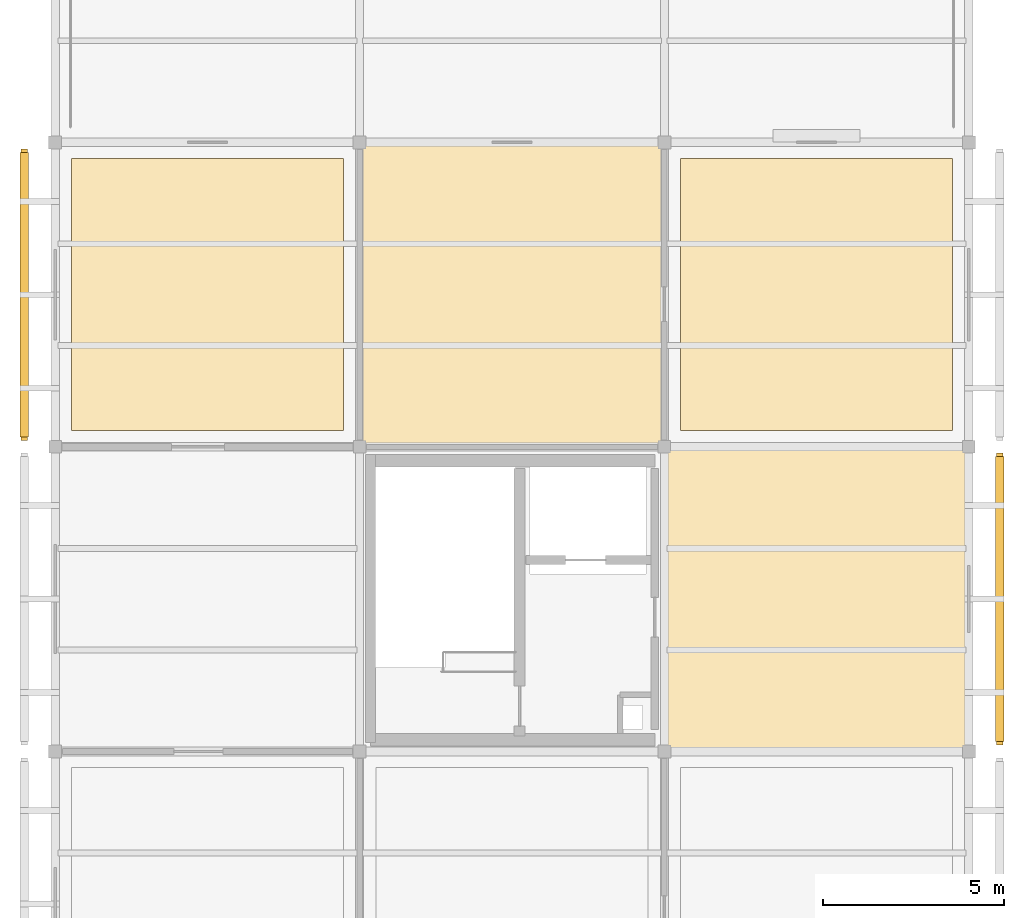
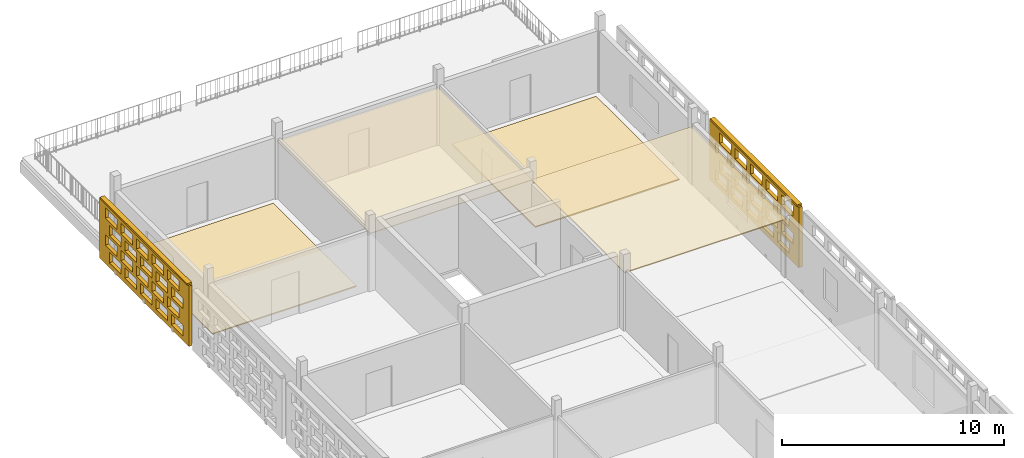
# One storey, part 11 of 13: 6 coverings, 2 shading devices, 40 openings.
"""IFC4 building model written with IfcOpenShell, lengths in metres."""

from ifc_helpers import new_model, si_unit, direction, frame, frame_2d, origin, origin_2d, place, context, subcontext, project, spatial, rectangle, extrude, material, layer, layer_set, type_object, element, save


model = new_model("IFC4")

# Units and contexts
model_context = context("Model", 3, precision=1e-05, world=origin(), true_north=direction((0.0, 1.0)))
body_context = subcontext(model_context, "Body", "Model", "MODEL_VIEW")
ifc_project = project(units=[si_unit("LENGTHUNIT", "METRE"), si_unit("AREAUNIT", "SQUARE_METRE"), si_unit("VOLUMEUNIT", "CUBIC_METRE"), si_unit("PLANEANGLEUNIT", "RADIAN"), si_unit("MASSUNIT", "GRAM", prefix="KILO")], contexts=[model_context])

# Site, building, storey
site_placement = place(None, origin())
site = spatial("IfcSite", under=ifc_project, at=site_placement, CompositionType="ELEMENT")
building_placement = place(site_placement, origin())
building = spatial("IfcBuilding", under=site, at=building_placement, Name="Varnapada Polytechnic", CompositionType="ELEMENT")
storey_placement = place(building_placement, frame((0.0, 0.0, 26.39990234375)))
storey = spatial("IfcBuildingStorey", under=building, at=storey_placement, Name="L06", CompositionType="ELEMENT", Elevation=26.39990234375)

# Coverings
ifc_material_1 = material(Name="Anti-Static Raised Laboratory Flooring")
ifc_layer_1 = layer(ifc_material_1, 0.06005859375)
ifc_layer_set_1 = layer_set([ifc_layer_1], Name="Anti-Static Raised Laboratory Flooring")
covering_type_1 = type_object("IfcCoveringType", Name="Floor Finish FLR-02", PredefinedType="FLOORING", material=ifc_layer_set_1)
for number, where, z_axis, x_axis, name in (
    (1, (4.199951171875, 113.39990234375, 0.0), (0.0, 0.0, 1.0), (1.0, 0.0, 0.0), "L06 floor finish panel (1,14)"),
    (2, (21.0, 113.39990234375, 0.0), (0.0, 0.0, 1.0), (1.0, 0.0, 0.0), "L06 floor finish panel (3,14)"),
):
    element("IfcCovering", number, at=place(storey_placement, frame(where, z_axis=z_axis, x_axis=x_axis)), inside=storey, type_object=covering_type_1, Name=name, PredefinedType="FLOORING", context=body_context, shape_type="SweptSolid", body=[
        extrude(rectangle(XDim=7.5, YDim=7.5, at=origin_2d()), origin(), (0.0, 0.0, 1.0), 0.06005859375),
    ])
ifc_material_2 = material(Name="Slatted Merbau Timber Acoustic Ceiling", Category="wood")
ifc_layer_2 = layer(ifc_material_2, 0.054931640625)
ifc_layer_set_2 = layer_set([ifc_layer_2], Name="Slatted Merbau Timber Acoustic Ceiling")
covering_type_2 = type_object("IfcCoveringType", Name="Suspended Ceiling CLG-05", PredefinedType="CEILING", material=ifc_layer_set_2)
covering_1_placement = place(storey_placement, frame((21.0, 105.0, 3.0224609375), z_axis=(0.0, 0.0, 1.0), x_axis=(1.0, 0.0, 0.0)))
element("IfcCovering", 3, at=covering_1_placement, inside=storey, type_object=covering_type_2, Name="L06 suspended acoustic ceiling (3,13)", PredefinedType="CEILING", context=body_context, shape_type="SweptSolid", body=[
    extrude(rectangle(XDim=8.419921875, YDim=8.419921875, at=origin_2d()), origin(), (0.0, 0.0, 1.0), 0.054931640625),
])
ifc_material_3 = material(Name="Cleanroom Laboratory Metal Pan Ceiling")
ifc_layer_3 = layer(ifc_material_3, 0.034912109375)
ifc_layer_set_3 = layer_set([ifc_layer_3], Name="Cleanroom Laboratory Metal Pan Ceiling")
covering_type_3 = type_object("IfcCoveringType", Name="Suspended Ceiling CLG-06", PredefinedType="CEILING", material=ifc_layer_set_3)
covering_2_placement = place(storey_placement, frame((12.60009765625, 113.39990234375, 3.03271484375), z_axis=(0.0, 0.0, 1.0), x_axis=(1.0, 0.0, 0.0)))
element("IfcCovering", 4, at=covering_2_placement, inside=storey, type_object=covering_type_3, Name="L06 suspended acoustic ceiling (2,14)", PredefinedType="CEILING", context=body_context, shape_type="SweptSolid", body=[
    extrude(rectangle(XDim=8.419921875, YDim=8.419921875, at=origin_2d()), origin(), (0.0, 0.0, 1.0), 0.034912109375),
])

# Covering, openings
ifc_material_4 = material(Name="Earth-toned architectural terracotta screen block", Category="masonry")
ifc_layer_4 = layer(ifc_material_4, 0.1201171875)
ifc_layer_set_4 = layer_set([ifc_layer_4], Name="Earth-toned architectural terracotta screen block")
covering_type_4 = type_object("IfcCoveringType", Name="Terracotta Screen Cladding CLD-01", PredefinedType="CLADDING", material=ifc_layer_set_4)
covering_3_placement = place(storey_placement, frame((-0.85009765625, 109.3701171875, 0.0), z_axis=(0.0, 0.0, 1.0), x_axis=(0.0, 1.0, 0.0)))
covering_3 = element("IfcCovering", 5, at=covering_3_placement, inside=storey, type_object=covering_type_4, Name="L06 perforated terracotta block screen (9)", PredefinedType="CLADDING", context=body_context, shape_type="SweptSolid", body=[
    extrude(rectangle(XDim=8.0498046875, YDim=0.179931640625, at=frame_2d((4.02490234375, 0.0))), origin(), (0.0, 0.0, 1.0), 3.320068359375),
])
opening_1_placement = place(covering_3_placement, frame((0.52490234375, 0.0, 0.265625)))
element("IfcOpeningElement", 6, at=opening_1_placement, cuts=covering_3, Name="Screen perforation TBS-L06-008.1", PredefinedType="OPENING", context=body_context, shape_type="SweptSolid", body=[
    extrude(rectangle(XDim=1.0400390625, YDim=0.5810546875, at=frame_2d((0.52001953125, 0.29052734375))), frame((0.0, 0.099853515625, 0.0), z_axis=(0.0, -1.0, 0.0), x_axis=(1.0, 0.0, 0.0)), (0.0, 0.0, 1.0), 0.199951171875),
])
opening_2_placement = place(covering_3_placement, frame((1.925048828125, 0.0, 0.265625)))
element("IfcOpeningElement", 7, at=opening_2_placement, cuts=covering_3, Name="Screen perforation TBS-L06-008.2", PredefinedType="OPENING", context=body_context, shape_type="SweptSolid", body=[
    extrude(rectangle(XDim=1.0400390625, YDim=0.5810546875, at=frame_2d((0.52001953125, 0.29052734375))), frame((0.0, 0.099853515625, 0.0), z_axis=(0.0, -1.0, 0.0), x_axis=(1.0, 0.0, 0.0)), (0.0, 0.0, 1.0), 0.199951171875),
])
opening_3_placement = place(covering_3_placement, frame((3.324951171875, 0.0, 0.265625)))
element("IfcOpeningElement", 8, at=opening_3_placement, cuts=covering_3, Name="Screen perforation TBS-L06-008.3", PredefinedType="OPENING", context=body_context, shape_type="SweptSolid", body=[
    extrude(rectangle(XDim=1.0400390625, YDim=0.5810546875, at=frame_2d((0.52001953125, 0.29052734375))), frame((0.0, 0.099853515625, 0.0), z_axis=(0.0, -1.0, 0.0), x_axis=(1.0, 0.0, 0.0)), (0.0, 0.0, 1.0), 0.199951171875),
])
opening_4_placement = place(covering_3_placement, frame((4.72509765625, 0.0, 0.265625)))
element("IfcOpeningElement", 9, at=opening_4_placement, cuts=covering_3, Name="Screen perforation TBS-L06-008.4", PredefinedType="OPENING", context=body_context, shape_type="SweptSolid", body=[
    extrude(rectangle(XDim=1.0400390625, YDim=0.5810546875, at=frame_2d((0.52001953125, 0.29052734375))), frame((0.0, 0.099853515625, 0.0), z_axis=(0.0, -1.0, 0.0), x_axis=(1.0, 0.0, 0.0)), (0.0, 0.0, 1.0), 0.199951171875),
])
opening_5_placement = place(covering_3_placement, frame((6.125, 0.0, 0.265625)))
element("IfcOpeningElement", 10, at=opening_5_placement, cuts=covering_3, Name="Screen perforation TBS-L06-008.5", PredefinedType="OPENING", context=body_context, shape_type="SweptSolid", body=[
    extrude(rectangle(XDim=1.0400390625, YDim=0.5810546875, at=frame_2d((0.52001953125, 0.29052734375))), frame((0.0, 0.099853515625, 0.0), z_axis=(0.0, -1.0, 0.0), x_axis=(1.0, 0.0, 0.0)), (0.0, 0.0, 1.0), 0.199951171875),
])
opening_6_placement = place(covering_3_placement, frame((0.885009765625, 0.0, 1.0126953125)))
element("IfcOpeningElement", 11, at=opening_6_placement, cuts=covering_3, Name="Screen perforation TBS-L06-008.6", PredefinedType="OPENING", context=body_context, shape_type="SweptSolid", body=[
    extrude(rectangle(XDim=1.0400390625, YDim=0.5810546875, at=frame_2d((0.52001953125, 0.29052734375))), frame((0.0, 0.099853515625, 0.0), z_axis=(0.0, -1.0, 0.0), x_axis=(1.0, 0.0, 0.0)), (0.0, 0.0, 1.0), 0.199951171875),
])
opening_7_placement = place(covering_3_placement, frame((2.284912109375, 0.0, 1.0126953125)))
element("IfcOpeningElement", 12, at=opening_7_placement, cuts=covering_3, Name="Screen perforation TBS-L06-008.7", PredefinedType="OPENING", context=body_context, shape_type="SweptSolid", body=[
    extrude(rectangle(XDim=1.0400390625, YDim=0.5810546875, at=frame_2d((0.52001953125, 0.29052734375))), frame((0.0, 0.099853515625, 0.0), z_axis=(0.0, -1.0, 0.0), x_axis=(1.0, 0.0, 0.0)), (0.0, 0.0, 1.0), 0.199951171875),
])
opening_8_placement = place(covering_3_placement, frame((3.68505859375, 0.0, 1.0126953125)))
element("IfcOpeningElement", 13, at=opening_8_placement, cuts=covering_3, Name="Screen perforation TBS-L06-008.8", PredefinedType="OPENING", context=body_context, shape_type="SweptSolid", body=[
    extrude(rectangle(XDim=1.0400390625, YDim=0.5810546875, at=frame_2d((0.52001953125, 0.29052734375))), frame((0.0, 0.099853515625, 0.0), z_axis=(0.0, -1.0, 0.0), x_axis=(1.0, 0.0, 0.0)), (0.0, 0.0, 1.0), 0.199951171875),
])
opening_9_placement = place(covering_3_placement, frame((5.0849609375, 0.0, 1.0126953125)))
element("IfcOpeningElement", 14, at=opening_9_placement, cuts=covering_3, Name="Screen perforation TBS-L06-008.9", PredefinedType="OPENING", context=body_context, shape_type="SweptSolid", body=[
    extrude(rectangle(XDim=1.0400390625, YDim=0.5810546875, at=frame_2d((0.52001953125, 0.29052734375))), frame((0.0, 0.099853515625, 0.0), z_axis=(0.0, -1.0, 0.0), x_axis=(1.0, 0.0, 0.0)), (0.0, 0.0, 1.0), 0.199951171875),
])
opening_10_placement = place(covering_3_placement, frame((6.485107421875, 0.0, 1.0126953125)))
element("IfcOpeningElement", 15, at=opening_10_placement, cuts=covering_3, Name="Screen perforation TBS-L06-008.10", PredefinedType="OPENING", context=body_context, shape_type="SweptSolid", body=[
    extrude(rectangle(XDim=1.0400390625, YDim=0.5810546875, at=frame_2d((0.52001953125, 0.29052734375))), frame((0.0, 0.099853515625, 0.0), z_axis=(0.0, -1.0, 0.0), x_axis=(1.0, 0.0, 0.0)), (0.0, 0.0, 1.0), 0.199951171875),
])
opening_11_placement = place(covering_3_placement, frame((0.52490234375, 0.0, 1.759521484375)))
element("IfcOpeningElement", 16, at=opening_11_placement, cuts=covering_3, Name="Screen perforation TBS-L06-008.11", PredefinedType="OPENING", context=body_context, shape_type="SweptSolid", body=[
    extrude(rectangle(XDim=1.0400390625, YDim=0.5810546875, at=frame_2d((0.52001953125, 0.29052734375))), frame((0.0, 0.099853515625, 0.0), z_axis=(0.0, -1.0, 0.0), x_axis=(1.0, 0.0, 0.0)), (0.0, 0.0, 1.0), 0.199951171875),
])
opening_12_placement = place(covering_3_placement, frame((1.925048828125, 0.0, 1.759521484375)))
element("IfcOpeningElement", 17, at=opening_12_placement, cuts=covering_3, Name="Screen perforation TBS-L06-008.12", PredefinedType="OPENING", context=body_context, shape_type="SweptSolid", body=[
    extrude(rectangle(XDim=1.0400390625, YDim=0.5810546875, at=frame_2d((0.52001953125, 0.29052734375))), frame((0.0, 0.099853515625, 0.0), z_axis=(0.0, -1.0, 0.0), x_axis=(1.0, 0.0, 0.0)), (0.0, 0.0, 1.0), 0.199951171875),
])
opening_13_placement = place(covering_3_placement, frame((3.324951171875, 0.0, 1.759521484375)))
element("IfcOpeningElement", 18, at=opening_13_placement, cuts=covering_3, Name="Screen perforation TBS-L06-008.13", PredefinedType="OPENING", context=body_context, shape_type="SweptSolid", body=[
    extrude(rectangle(XDim=1.0400390625, YDim=0.5810546875, at=frame_2d((0.52001953125, 0.29052734375))), frame((0.0, 0.099853515625, 0.0), z_axis=(0.0, -1.0, 0.0), x_axis=(1.0, 0.0, 0.0)), (0.0, 0.0, 1.0), 0.199951171875),
])
opening_14_placement = place(covering_3_placement, frame((4.72509765625, 0.0, 1.759521484375)))
element("IfcOpeningElement", 19, at=opening_14_placement, cuts=covering_3, Name="Screen perforation TBS-L06-008.14", PredefinedType="OPENING", context=body_context, shape_type="SweptSolid", body=[
    extrude(rectangle(XDim=1.0400390625, YDim=0.5810546875, at=frame_2d((0.52001953125, 0.29052734375))), frame((0.0, 0.099853515625, 0.0), z_axis=(0.0, -1.0, 0.0), x_axis=(1.0, 0.0, 0.0)), (0.0, 0.0, 1.0), 0.199951171875),
])
opening_15_placement = place(covering_3_placement, frame((6.125, 0.0, 1.759521484375)))
element("IfcOpeningElement", 20, at=opening_15_placement, cuts=covering_3, Name="Screen perforation TBS-L06-008.15", PredefinedType="OPENING", context=body_context, shape_type="SweptSolid", body=[
    extrude(rectangle(XDim=1.0400390625, YDim=0.5810546875, at=frame_2d((0.52001953125, 0.29052734375))), frame((0.0, 0.099853515625, 0.0), z_axis=(0.0, -1.0, 0.0), x_axis=(1.0, 0.0, 0.0)), (0.0, 0.0, 1.0), 0.199951171875),
])
opening_16_placement = place(covering_3_placement, frame((0.885009765625, 0.0, 2.506591796875)))
element("IfcOpeningElement", 21, at=opening_16_placement, cuts=covering_3, Name="Screen perforation TBS-L06-008.16", PredefinedType="OPENING", context=body_context, shape_type="SweptSolid", body=[
    extrude(rectangle(XDim=1.0400390625, YDim=0.5810546875, at=frame_2d((0.52001953125, 0.29052734375))), frame((0.0, 0.099853515625, 0.0), z_axis=(0.0, -1.0, 0.0), x_axis=(1.0, 0.0, 0.0)), (0.0, 0.0, 1.0), 0.199951171875),
])
opening_17_placement = place(covering_3_placement, frame((2.284912109375, 0.0, 2.506591796875)))
element("IfcOpeningElement", 22, at=opening_17_placement, cuts=covering_3, Name="Screen perforation TBS-L06-008.17", PredefinedType="OPENING", context=body_context, shape_type="SweptSolid", body=[
    extrude(rectangle(XDim=1.0400390625, YDim=0.5810546875, at=frame_2d((0.52001953125, 0.29052734375))), frame((0.0, 0.099853515625, 0.0), z_axis=(0.0, -1.0, 0.0), x_axis=(1.0, 0.0, 0.0)), (0.0, 0.0, 1.0), 0.199951171875),
])
opening_18_placement = place(covering_3_placement, frame((3.68505859375, 0.0, 2.506591796875)))
element("IfcOpeningElement", 23, at=opening_18_placement, cuts=covering_3, Name="Screen perforation TBS-L06-008.18", PredefinedType="OPENING", context=body_context, shape_type="SweptSolid", body=[
    extrude(rectangle(XDim=1.0400390625, YDim=0.5810546875, at=frame_2d((0.52001953125, 0.29052734375))), frame((0.0, 0.099853515625, 0.0), z_axis=(0.0, -1.0, 0.0), x_axis=(1.0, 0.0, 0.0)), (0.0, 0.0, 1.0), 0.199951171875),
])
opening_19_placement = place(covering_3_placement, frame((5.0849609375, 0.0, 2.506591796875)))
element("IfcOpeningElement", 24, at=opening_19_placement, cuts=covering_3, Name="Screen perforation TBS-L06-008.19", PredefinedType="OPENING", context=body_context, shape_type="SweptSolid", body=[
    extrude(rectangle(XDim=1.0400390625, YDim=0.5810546875, at=frame_2d((0.52001953125, 0.29052734375))), frame((0.0, 0.099853515625, 0.0), z_axis=(0.0, -1.0, 0.0), x_axis=(1.0, 0.0, 0.0)), (0.0, 0.0, 1.0), 0.199951171875),
])
opening_20_placement = place(covering_3_placement, frame((6.485107421875, 0.0, 2.506591796875)))
element("IfcOpeningElement", 25, at=opening_20_placement, cuts=covering_3, Name="Screen perforation TBS-L06-008.20", PredefinedType="OPENING", context=body_context, shape_type="SweptSolid", body=[
    extrude(rectangle(XDim=1.0400390625, YDim=0.5810546875, at=frame_2d((0.52001953125, 0.29052734375))), frame((0.0, 0.099853515625, 0.0), z_axis=(0.0, -1.0, 0.0), x_axis=(1.0, 0.0, 0.0)), (0.0, 0.0, 1.0), 0.199951171875),
])

covering_4_placement = place(storey_placement, frame((26.050048828125, 109.030029296875, 0.0), z_axis=(0.0, 0.0, 1.0), x_axis=(0.0, -1.0, 0.0)))
covering_4 = element("IfcCovering", 26, at=covering_4_placement, inside=storey, type_object=covering_type_4, Name="L06 perforated terracotta block screen (18)", PredefinedType="CLADDING", context=body_context, shape_type="SweptSolid", body=[
    extrude(rectangle(XDim=8.050048828125, YDim=0.179931640625, at=frame_2d((4.02490234375, 0.0))), origin(), (0.0, 0.0, 1.0), 3.320068359375),
])
opening_21_placement = place(covering_4_placement, frame((0.52490234375, 0.0, 0.265625)))
element("IfcOpeningElement", 27, at=opening_21_placement, cuts=covering_4, Name="Screen perforation TBS-L06-017.1", PredefinedType="OPENING", context=body_context, shape_type="SweptSolid", body=[
    extrude(rectangle(XDim=1.0400390625, YDim=0.5810546875, at=frame_2d((0.52001953125, 0.29052734375))), frame((0.0, 0.099853515625, 0.0), z_axis=(0.0, -1.0, 0.0), x_axis=(1.0, 0.0, 0.0)), (0.0, 0.0, 1.0), 0.199951171875),
])
opening_22_placement = place(covering_4_placement, frame((1.925048828125, 0.0, 0.265625)))
element("IfcOpeningElement", 28, at=opening_22_placement, cuts=covering_4, Name="Screen perforation TBS-L06-017.2", PredefinedType="OPENING", context=body_context, shape_type="SweptSolid", body=[
    extrude(rectangle(XDim=1.0400390625, YDim=0.5810546875, at=frame_2d((0.52001953125, 0.29052734375))), frame((0.0, 0.099853515625, 0.0), z_axis=(0.0, -1.0, 0.0), x_axis=(1.0, 0.0, 0.0)), (0.0, 0.0, 1.0), 0.199951171875),
])
opening_23_placement = place(covering_4_placement, frame((3.324951171875, 0.0, 0.265625)))
element("IfcOpeningElement", 29, at=opening_23_placement, cuts=covering_4, Name="Screen perforation TBS-L06-017.3", PredefinedType="OPENING", context=body_context, shape_type="SweptSolid", body=[
    extrude(rectangle(XDim=1.0400390625, YDim=0.5810546875, at=frame_2d((0.52001953125, 0.29052734375))), frame((0.0, 0.099853515625, 0.0), z_axis=(0.0, -1.0, 0.0), x_axis=(1.0, 0.0, 0.0)), (0.0, 0.0, 1.0), 0.199951171875),
])
opening_24_placement = place(covering_4_placement, frame((4.72509765625, 0.0, 0.265625)))
element("IfcOpeningElement", 30, at=opening_24_placement, cuts=covering_4, Name="Screen perforation TBS-L06-017.4", PredefinedType="OPENING", context=body_context, shape_type="SweptSolid", body=[
    extrude(rectangle(XDim=1.0400390625, YDim=0.5810546875, at=frame_2d((0.52001953125, 0.29052734375))), frame((0.0, 0.099853515625, 0.0), z_axis=(0.0, -1.0, 0.0), x_axis=(1.0, 0.0, 0.0)), (0.0, 0.0, 1.0), 0.199951171875),
])
opening_25_placement = place(covering_4_placement, frame((6.125, 0.0, 0.265625)))
element("IfcOpeningElement", 31, at=opening_25_placement, cuts=covering_4, Name="Screen perforation TBS-L06-017.5", PredefinedType="OPENING", context=body_context, shape_type="SweptSolid", body=[
    extrude(rectangle(XDim=1.0400390625, YDim=0.5810546875, at=frame_2d((0.52001953125, 0.29052734375))), frame((0.0, 0.099853515625, 0.0), z_axis=(0.0, -1.0, 0.0), x_axis=(1.0, 0.0, 0.0)), (0.0, 0.0, 1.0), 0.199951171875),
])
opening_26_placement = place(covering_4_placement, frame((0.885009765625, 0.0, 1.0126953125)))
element("IfcOpeningElement", 32, at=opening_26_placement, cuts=covering_4, Name="Screen perforation TBS-L06-017.6", PredefinedType="OPENING", context=body_context, shape_type="SweptSolid", body=[
    extrude(rectangle(XDim=1.0400390625, YDim=0.5810546875, at=frame_2d((0.52001953125, 0.29052734375))), frame((0.0, 0.099853515625, 0.0), z_axis=(0.0, -1.0, 0.0), x_axis=(1.0, 0.0, 0.0)), (0.0, 0.0, 1.0), 0.199951171875),
])
opening_27_placement = place(covering_4_placement, frame((2.284912109375, 0.0, 1.0126953125)))
element("IfcOpeningElement", 33, at=opening_27_placement, cuts=covering_4, Name="Screen perforation TBS-L06-017.7", PredefinedType="OPENING", context=body_context, shape_type="SweptSolid", body=[
    extrude(rectangle(XDim=1.0400390625, YDim=0.5810546875, at=frame_2d((0.52001953125, 0.29052734375))), frame((0.0, 0.099853515625, 0.0), z_axis=(0.0, -1.0, 0.0), x_axis=(1.0, 0.0, 0.0)), (0.0, 0.0, 1.0), 0.199951171875),
])
opening_28_placement = place(covering_4_placement, frame((3.68505859375, 0.0, 1.0126953125)))
element("IfcOpeningElement", 34, at=opening_28_placement, cuts=covering_4, Name="Screen perforation TBS-L06-017.8", PredefinedType="OPENING", context=body_context, shape_type="SweptSolid", body=[
    extrude(rectangle(XDim=1.0400390625, YDim=0.5810546875, at=frame_2d((0.52001953125, 0.29052734375))), frame((0.0, 0.099853515625, 0.0), z_axis=(0.0, -1.0, 0.0), x_axis=(1.0, 0.0, 0.0)), (0.0, 0.0, 1.0), 0.199951171875),
])
opening_29_placement = place(covering_4_placement, frame((5.0849609375, 0.0, 1.0126953125)))
element("IfcOpeningElement", 35, at=opening_29_placement, cuts=covering_4, Name="Screen perforation TBS-L06-017.9", PredefinedType="OPENING", context=body_context, shape_type="SweptSolid", body=[
    extrude(rectangle(XDim=1.0400390625, YDim=0.5810546875, at=frame_2d((0.52001953125, 0.29052734375))), frame((0.0, 0.099853515625, 0.0), z_axis=(0.0, -1.0, 0.0), x_axis=(1.0, 0.0, 0.0)), (0.0, 0.0, 1.0), 0.199951171875),
])
opening_30_placement = place(covering_4_placement, frame((6.485107421875, 0.0, 1.0126953125)))
element("IfcOpeningElement", 36, at=opening_30_placement, cuts=covering_4, Name="Screen perforation TBS-L06-017.10", PredefinedType="OPENING", context=body_context, shape_type="SweptSolid", body=[
    extrude(rectangle(XDim=1.0400390625, YDim=0.5810546875, at=frame_2d((0.52001953125, 0.29052734375))), frame((0.0, 0.099853515625, 0.0), z_axis=(0.0, -1.0, 0.0), x_axis=(1.0, 0.0, 0.0)), (0.0, 0.0, 1.0), 0.199951171875),
])
opening_31_placement = place(covering_4_placement, frame((0.52490234375, 0.0, 1.759521484375)))
element("IfcOpeningElement", 37, at=opening_31_placement, cuts=covering_4, Name="Screen perforation TBS-L06-017.11", PredefinedType="OPENING", context=body_context, shape_type="SweptSolid", body=[
    extrude(rectangle(XDim=1.0400390625, YDim=0.5810546875, at=frame_2d((0.52001953125, 0.29052734375))), frame((0.0, 0.099853515625, 0.0), z_axis=(0.0, -1.0, 0.0), x_axis=(1.0, 0.0, 0.0)), (0.0, 0.0, 1.0), 0.199951171875),
])
opening_32_placement = place(covering_4_placement, frame((1.925048828125, 0.0, 1.759521484375)))
element("IfcOpeningElement", 38, at=opening_32_placement, cuts=covering_4, Name="Screen perforation TBS-L06-017.12", PredefinedType="OPENING", context=body_context, shape_type="SweptSolid", body=[
    extrude(rectangle(XDim=1.0400390625, YDim=0.5810546875, at=frame_2d((0.52001953125, 0.29052734375))), frame((0.0, 0.099853515625, 0.0), z_axis=(0.0, -1.0, 0.0), x_axis=(1.0, 0.0, 0.0)), (0.0, 0.0, 1.0), 0.199951171875),
])
opening_33_placement = place(covering_4_placement, frame((3.324951171875, 0.0, 1.759521484375)))
element("IfcOpeningElement", 39, at=opening_33_placement, cuts=covering_4, Name="Screen perforation TBS-L06-017.13", PredefinedType="OPENING", context=body_context, shape_type="SweptSolid", body=[
    extrude(rectangle(XDim=1.0400390625, YDim=0.5810546875, at=frame_2d((0.52001953125, 0.29052734375))), frame((0.0, 0.099853515625, 0.0), z_axis=(0.0, -1.0, 0.0), x_axis=(1.0, 0.0, 0.0)), (0.0, 0.0, 1.0), 0.199951171875),
])
opening_34_placement = place(covering_4_placement, frame((4.72509765625, 0.0, 1.759521484375)))
element("IfcOpeningElement", 40, at=opening_34_placement, cuts=covering_4, Name="Screen perforation TBS-L06-017.14", PredefinedType="OPENING", context=body_context, shape_type="SweptSolid", body=[
    extrude(rectangle(XDim=1.0400390625, YDim=0.5810546875, at=frame_2d((0.52001953125, 0.29052734375))), frame((0.0, 0.099853515625, 0.0), z_axis=(0.0, -1.0, 0.0), x_axis=(1.0, 0.0, 0.0)), (0.0, 0.0, 1.0), 0.199951171875),
])
opening_35_placement = place(covering_4_placement, frame((6.125, 0.0, 1.759521484375)))
element("IfcOpeningElement", 41, at=opening_35_placement, cuts=covering_4, Name="Screen perforation TBS-L06-017.15", PredefinedType="OPENING", context=body_context, shape_type="SweptSolid", body=[
    extrude(rectangle(XDim=1.0400390625, YDim=0.5810546875, at=frame_2d((0.52001953125, 0.29052734375))), frame((0.0, 0.099853515625, 0.0), z_axis=(0.0, -1.0, 0.0), x_axis=(1.0, 0.0, 0.0)), (0.0, 0.0, 1.0), 0.199951171875),
])
opening_36_placement = place(covering_4_placement, frame((0.885009765625, 0.0, 2.506591796875)))
element("IfcOpeningElement", 42, at=opening_36_placement, cuts=covering_4, Name="Screen perforation TBS-L06-017.16", PredefinedType="OPENING", context=body_context, shape_type="SweptSolid", body=[
    extrude(rectangle(XDim=1.0400390625, YDim=0.5810546875, at=frame_2d((0.52001953125, 0.29052734375))), frame((0.0, 0.099853515625, 0.0), z_axis=(0.0, -1.0, 0.0), x_axis=(1.0, 0.0, 0.0)), (0.0, 0.0, 1.0), 0.199951171875),
])
opening_37_placement = place(covering_4_placement, frame((2.284912109375, 0.0, 2.506591796875)))
element("IfcOpeningElement", 43, at=opening_37_placement, cuts=covering_4, Name="Screen perforation TBS-L06-017.17", PredefinedType="OPENING", context=body_context, shape_type="SweptSolid", body=[
    extrude(rectangle(XDim=1.0400390625, YDim=0.5810546875, at=frame_2d((0.52001953125, 0.29052734375))), frame((0.0, 0.099853515625, 0.0), z_axis=(0.0, -1.0, 0.0), x_axis=(1.0, 0.0, 0.0)), (0.0, 0.0, 1.0), 0.199951171875),
])
opening_38_placement = place(covering_4_placement, frame((3.68505859375, 0.0, 2.506591796875)))
element("IfcOpeningElement", 44, at=opening_38_placement, cuts=covering_4, Name="Screen perforation TBS-L06-017.18", PredefinedType="OPENING", context=body_context, shape_type="SweptSolid", body=[
    extrude(rectangle(XDim=1.0400390625, YDim=0.5810546875, at=frame_2d((0.52001953125, 0.29052734375))), frame((0.0, 0.099853515625, 0.0), z_axis=(0.0, -1.0, 0.0), x_axis=(1.0, 0.0, 0.0)), (0.0, 0.0, 1.0), 0.199951171875),
])
opening_39_placement = place(covering_4_placement, frame((5.0849609375, 0.0, 2.506591796875)))
element("IfcOpeningElement", 45, at=opening_39_placement, cuts=covering_4, Name="Screen perforation TBS-L06-017.19", PredefinedType="OPENING", context=body_context, shape_type="SweptSolid", body=[
    extrude(rectangle(XDim=1.0400390625, YDim=0.5810546875, at=frame_2d((0.52001953125, 0.29052734375))), frame((0.0, 0.099853515625, 0.0), z_axis=(0.0, -1.0, 0.0), x_axis=(1.0, 0.0, 0.0)), (0.0, 0.0, 1.0), 0.199951171875),
])
opening_40_placement = place(covering_4_placement, frame((6.485107421875, 0.0, 2.506591796875)))
element("IfcOpeningElement", 46, at=opening_40_placement, cuts=covering_4, Name="Screen perforation TBS-L06-017.20", PredefinedType="OPENING", context=body_context, shape_type="SweptSolid", body=[
    extrude(rectangle(XDim=1.0400390625, YDim=0.5810546875, at=frame_2d((0.52001953125, 0.29052734375))), frame((0.0, 0.099853515625, 0.0), z_axis=(0.0, -1.0, 0.0), x_axis=(1.0, 0.0, 0.0)), (0.0, 0.0, 1.0), 0.199951171875),
])

# Shading devices
ifc_layer_5 = layer(ifc_material_4, 0.179931640625)
ifc_layer_set_5 = layer_set([ifc_layer_5], Name="Earth-toned architectural terracotta screen block")
shading_device_type = type_object("IfcShadingDeviceType", Name="Terracotta Screen SCR-01", PredefinedType="USERDEFINED", material=ifc_layer_set_5)
for number, where, z_axis, x_axis, name in (
    (47, (-0.85009765625, 113.39501953125, 3.31005859375), (0.0, 0.0, 1.0), (0.0, 1.0, 0.0), "L06 perforated terracotta screen hood 499"),
    (48, (26.050048828125, 105.0048828125, 3.31005859375), (0.0, 0.0, 1.0), (0.0, -1.0, 0.0), "L06 perforated terracotta screen hood 505"),
):
    element("IfcShadingDevice", number, at=place(storey_placement, frame(where, z_axis=z_axis, x_axis=x_axis)), inside=storey, type_object=shading_device_type, Name=name, ObjectType="SCREEN", PredefinedType="USERDEFINED", context=body_context, shape_type="SweptSolid", body=[
        extrude(rectangle(XDim=7.85009765625, YDim=0.239990234375, at=origin_2d()), origin(), (0.0, 0.0, 1.0), 0.10009765625),
    ])

save(model, "model.ifc")
